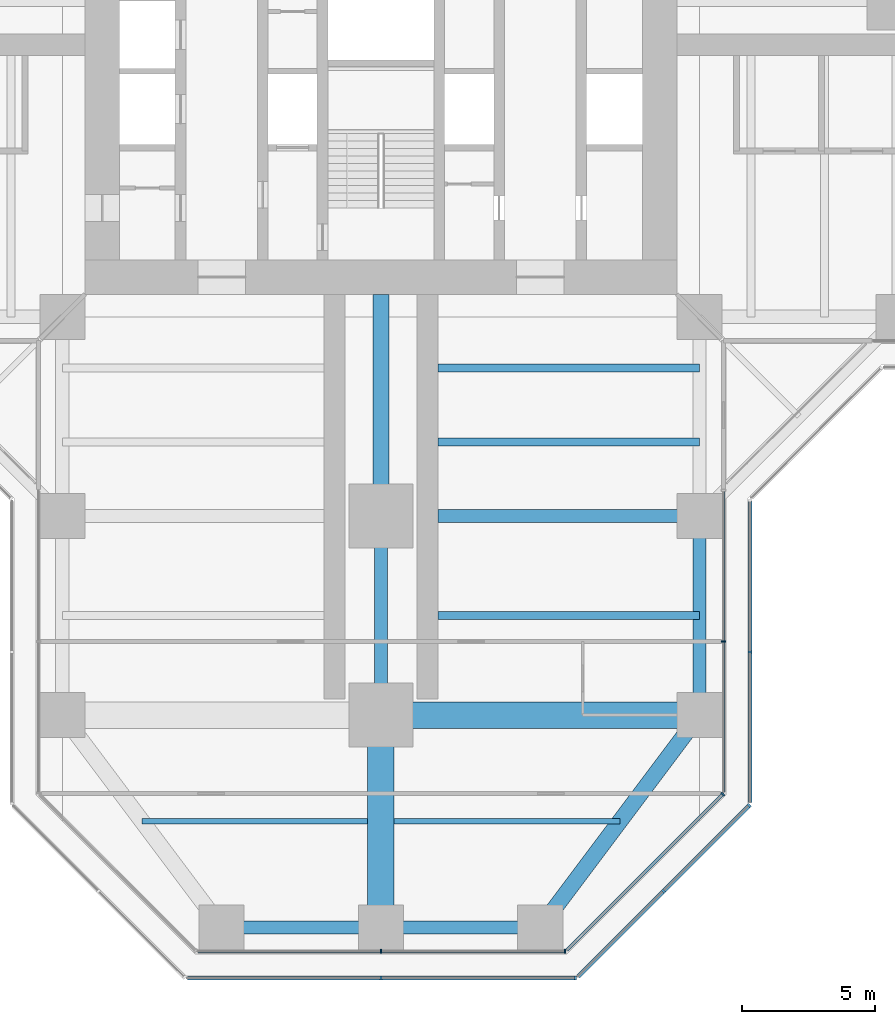
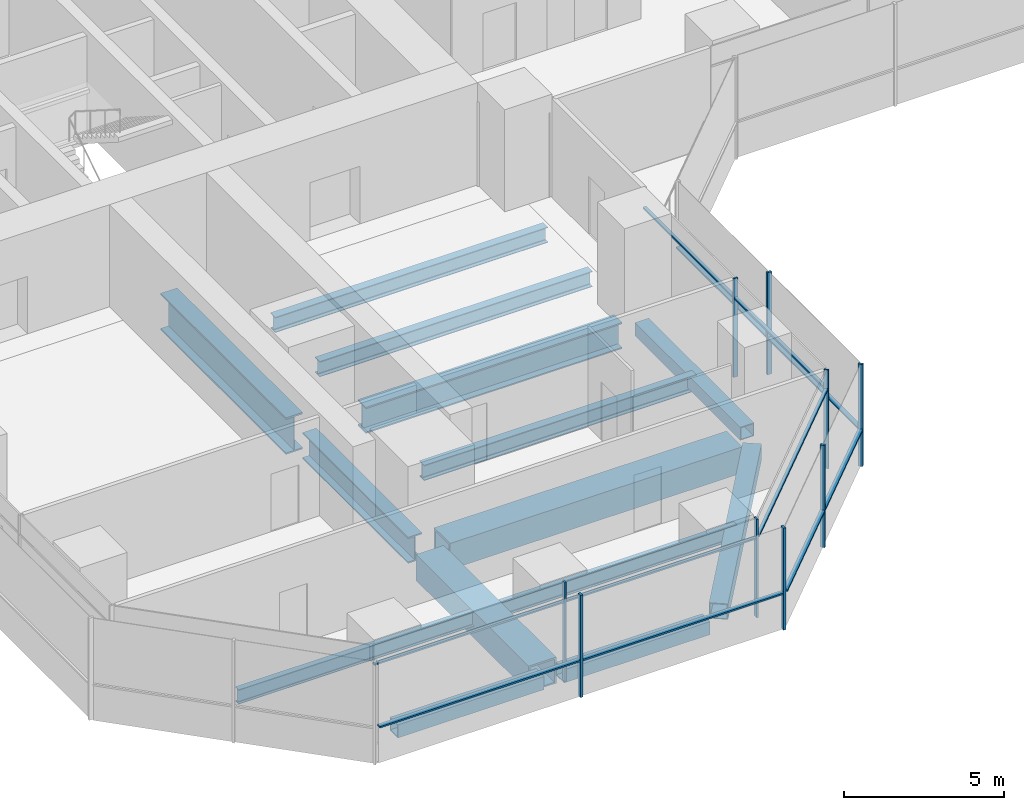
# One storey, part 5 of 22: 20 members, 14 beams, 6 elements without a shape of their own.
"""IFC4 building model written with IfcOpenShell, lengths in metres."""

from ifc_helpers import new_model, si_unit, direction, frame, origin, origin_2d, place, context, subcontext, project, spatial, rectangle, hollow_rectangle, i_section, extrude, material, material_profile, profile_set, type_object, element, aggregate, save


model = new_model("IFC4")

# Units and contexts
model_context = context("Model", 3, precision=1e-05, world=origin(), true_north=direction((0.0, 1.0)))
body_context = subcontext(model_context, "Body", "Model", "MODEL_VIEW")
ifc_project = project(units=[si_unit("LENGTHUNIT", "METRE"), si_unit("AREAUNIT", "SQUARE_METRE"), si_unit("VOLUMEUNIT", "CUBIC_METRE"), si_unit("PLANEANGLEUNIT", "RADIAN"), si_unit("MASSUNIT", "GRAM", prefix="KILO")], contexts=[model_context])

# Site, building, storey
site_placement = place(None, origin())
site = spatial("IfcSite", under=ifc_project, at=site_placement, CompositionType="ELEMENT")
building_placement = place(site_placement, origin())
building = spatial("IfcBuilding", under=site, at=building_placement, Name="Mizan Broadcast Tower", CompositionType="ELEMENT")
storey_placement = place(building_placement, frame((0.0, 0.0, 59.10009765625)))
storey = spatial("IfcBuildingStorey", under=building, at=storey_placement, Name="L11", CompositionType="ELEMENT", Elevation=59.10009765625)

# Beams
ifc_material_1 = material(Name="Steel S355", Category="steel")
ifc_material_profile_1 = material_profile(ifc_material_1, hollow_rectangle(XDim=0.5, YDim=0.5, WallThickness=0.030029296875, at=origin_2d()), Name="BOX 500x500x30")
ifc_profile_set_1 = profile_set([ifc_material_profile_1], Name="Steel S355")
beam_type_1 = type_object("IfcBeamType", Name="EDGE BEAM BOX 500x500x30", PredefinedType="SPANDREL", material=ifc_profile_set_1)
beam_1_placement = place(storey_placement, frame((-5.639892578125, -35.0, -0.380126953125), z_axis=(1.0, 0.0, 0.0), x_axis=(0.0, 1.0, 0.0)))
element("IfcBeam", 1, at=beam_1_placement, inside=storey, type_object=beam_type_1, Name="Edge beam BOX 500x500x30 L11 south arm", PredefinedType="SPANDREL", context=body_context, shape_type="SweptSolid", body=[
    extrude(hollow_rectangle(XDim=0.5, YDim=0.5, WallThickness=0.030029296875, at=origin_2d()), origin(), (0.0, 0.0, 1.0), 5.27978515625),
])
beam_2_placement = place(storey_placement, frame((12.0, -19.949951171875, -0.380126953125), z_axis=(0.0, -1.0, 0.0), x_axis=(1.0, 0.0, 0.0)))
element("IfcBeam", 2, at=beam_2_placement, inside=storey, type_object=beam_type_1, Name="Edge beam BOX 500x500x30 L11 south arm", PredefinedType="SPANDREL", context=body_context, shape_type="SweptSolid", body=[
    extrude(hollow_rectangle(XDim=0.5, YDim=0.5, WallThickness=0.030029296875, at=origin_2d()), origin(), (0.0, 0.0, 1.0), 6.60009765625),
])
beam_3_placement = place(storey_placement, frame((5.639892578125, -35.0, -0.380126953125), z_axis=(-1.0, 0.0, 0.0), x_axis=(0.0, -1.0, 0.0)))
element("IfcBeam", 3, at=beam_3_placement, inside=storey, type_object=beam_type_1, Name="Edge beam BOX 500x500x30 L11 south arm", PredefinedType="SPANDREL", context=body_context, shape_type="SweptSolid", body=[
    extrude(hollow_rectangle(XDim=0.5, YDim=0.5, WallThickness=0.030029296875, at=origin_2d()), origin(), (0.0, 0.0, 1.0), 5.27978515625),
])
ifc_material_2 = material(Name="Steel S355", Category="steel")
ifc_material_profile_2 = material_profile(ifc_material_2, hollow_rectangle(XDim=0.60009765625, YDim=0.60009765625, WallThickness=0.030029296875, at=origin_2d()), Name="BOX 600x600x30")
ifc_profile_set_2 = profile_set([ifc_material_profile_2], Name="Steel S355")
beam_type_2 = type_object("IfcBeamType", Name="EDGE BEAM BOX 600x600x30", PredefinedType="SPANDREL", material=ifc_profile_set_2)
beam_4_placement = place(storey_placement, frame((11.639892578125, -27.47998046875, -0.43017578125), z_axis=(-0.599982243973, -0.800013316712, 0.0), x_axis=(0.800013316712, -0.599982243973, 0.0)))
element("IfcBeam", 4, at=beam_4_placement, inside=storey, type_object=beam_type_2, Name="Edge beam BOX 600x600x30 L11 south arm", PredefinedType="SPANDREL", context=body_context, shape_type="SweptSolid", body=[
    extrude(hollow_rectangle(XDim=0.60009765625, YDim=0.60009765625, WallThickness=0.030029296875, at=origin_2d()), origin(), (0.0, 0.0, 1.0), 8.7998046875),
])
ifc_material_3 = material(Name="Steel S460", Category="steel")
ifc_material_profile_3 = material_profile(ifc_material_3, hollow_rectangle(XDim=1.0, YDim=1.0, WallThickness=0.06005859375, at=origin_2d()), Name="BOX 1000x1000x60")
ifc_profile_set_3 = profile_set([ifc_material_profile_3], Name="Steel S460")
beam_type_3 = type_object("IfcBeamType", Name="GIRDER BOX 1000x1000x60", PredefinedType="BEAM", material=ifc_profile_set_3)
beam_5_placement = place(storey_placement, frame((0.0, -27.47998046875, -0.630126953125), z_axis=(0.0, -1.0, 0.0), x_axis=(1.0, 0.0, 0.0)))
element("IfcBeam", 5, at=beam_5_placement, inside=storey, type_object=beam_type_3, Name="Girder BOX 1000x1000x60 L11 south arm", PredefinedType="BEAM", context=body_context, shape_type="SweptSolid", body=[
    extrude(hollow_rectangle(XDim=1.0, YDim=1.0, WallThickness=0.06005859375, at=origin_2d()), origin(), (0.0, 0.0, 1.0), 7.0400390625),
])
ifc_material_4 = material(Name="Steel S460", Category="steel")
ifc_material_profile_4 = material_profile(ifc_material_4, hollow_rectangle(XDim=1.0, YDim=1.0, WallThickness=0.080078125, at=origin_2d()), Name="BOX 1000x1000x80")
ifc_profile_set_4 = profile_set([ifc_material_profile_4], Name="Steel S460")
beam_type_4 = type_object("IfcBeamType", Name="GIRDER BOX 1000x1000x80", PredefinedType="BEAM", material=ifc_profile_set_4)
beam_6_placement = place(storey_placement, frame((11.280029296875, -27.0, -0.630126953125), z_axis=(-1.0, 0.0, 0.0), x_axis=(0.0, -1.0, 0.0)))
element("IfcBeam", 6, at=beam_6_placement, inside=storey, type_object=beam_type_4, Name="Girder BOX 1000x1000x80 L11 south arm", PredefinedType="BEAM", context=body_context, shape_type="SweptSolid", body=[
    extrude(hollow_rectangle(XDim=1.0, YDim=1.0, WallThickness=0.080078125, at=origin_2d()), origin(), (0.0, 0.0, 1.0), 10.56005859375),
])
ifc_material_5 = material(Name="Steel S460", Category="steel")
ifc_material_profile_5 = material_profile(ifc_material_5, i_section(OverallWidth=0.5, OverallDepth=1.0, WebThickness=0.02490234375, FlangeThickness=0.050048828125, at=origin_2d()), Name="WPG 1000x500")
ifc_profile_set_5 = profile_set([ifc_material_profile_5], Name="Steel S460")
beam_type_5 = type_object("IfcBeamType", Name="GIRDER WPG 1000x500", PredefinedType="BEAM", material=ifc_profile_set_5)
beam_7_placement = place(storey_placement, frame((0.0, -19.949951171875, -0.630126953125), z_axis=(0.0, -1.0, 0.0), x_axis=(1.0, 0.0, 0.0)))
element("IfcBeam", 7, at=beam_7_placement, inside=storey, type_object=beam_type_5, Name="Girder WPG 1000x500 L11 south arm", PredefinedType="BEAM", context=body_context, shape_type="SweptSolid", body=[
    extrude(i_section(OverallWidth=0.5, OverallDepth=1.0, WebThickness=0.02490234375, FlangeThickness=0.050048828125, at=origin_2d()), origin(), (0.0, 0.0, 1.0), 6.60009765625),
])
beam_8_placement = place(storey_placement, frame((11.408935546875, -19.5, -0.630126953125), z_axis=(-1.0, 0.0, 0.0), x_axis=(0.0, -1.0, 0.0)))
element("IfcBeam", 8, at=beam_8_placement, inside=storey, type_object=beam_type_5, Name="Girder WPG 1000x500 L11 south arm", PredefinedType="BEAM", context=body_context, shape_type="SweptSolid", body=[
    extrude(i_section(OverallWidth=0.5, OverallDepth=1.0, WebThickness=0.02490234375, FlangeThickness=0.050048828125, at=origin_2d()), origin(), (0.0, 0.0, 1.0), 9.259033203125),
])
ifc_material_6 = material(Name="Steel S460", Category="steel")
ifc_material_profile_6 = material_profile(ifc_material_6, i_section(OverallWidth=0.60009765625, OverallDepth=1.39990234375, WebThickness=0.02490234375, FlangeThickness=0.06005859375, at=origin_2d()), Name="WPG 1400x600")
ifc_profile_set_6 = profile_set([ifc_material_profile_6], Name="Steel S460")
beam_type_6 = type_object("IfcBeamType", Name="GIRDER WPG 1400x600", PredefinedType="BEAM", material=ifc_profile_set_6)
beam_9_placement = place(storey_placement, frame((0.0, -11.14990234375, -0.830078125), z_axis=(0.0, -1.0, 0.0), x_axis=(1.0, 0.0, 0.0)))
element("IfcBeam", 9, at=beam_9_placement, inside=storey, type_object=beam_type_6, Name="Girder WPG 1400x600 L11 south arm", PredefinedType="BEAM", context=body_context, shape_type="SweptSolid", body=[
    extrude(i_section(OverallWidth=0.60009765625, OverallDepth=1.39990234375, WebThickness=0.02490234375, FlangeThickness=0.06005859375, at=origin_2d()), origin(), (0.0, 0.0, 1.0), 7.84912109375),
])

# Curtain wall, members
ifc_material_7 = material(Name="Aluminium framed glazing", Category="aluminium")
curtain_wall_type_1 = type_object("IfcCurtainWallType", Name="INNER SKIN LOW ZONE", PredefinedType="USERDEFINED", material=ifc_material_7)
curtain_wall_1_placement = place(storey_placement, origin())
curtain_wall_1 = element("IfcCurtainWall", 10, at=curtain_wall_1_placement, inside=storey, type_object=curtain_wall_type_1, Name="Inner skin low zone L11 S end", ObjectType="INNER SKIN LOW ZONE", PredefinedType="USERDEFINED")
ifc_material_8 = material(Name="Aluminium, pale anodised", Category="aluminium")
ifc_material_profile_7 = material_profile(ifc_material_8, rectangle(XDim=0.159912109375, YDim=0.06005859375, at=origin_2d()), Name="MULLION 160x60")
ifc_profile_set_7 = profile_set([ifc_material_profile_7], Name="Aluminium, pale anodised")
member_type_1 = type_object("IfcMemberType", Name="INNER SKIN MULLION 60x160", PredefinedType="MULLION", material=ifc_profile_set_7)
member_1_placement = place(storey_placement, frame((0.0, -35.89990234375, 0.0), z_axis=(0.0, 0.0, 1.0), x_axis=(0.0, 1.0, 0.0)))
member_1 = element("IfcMember", 11, at=member_1_placement, type_object=member_type_1, Name="Inner skin low zone L11 S end mullion 2", PredefinedType="MULLION", context=body_context, shape_type="SweptSolid", body=[
    extrude(rectangle(XDim=0.159912109375, YDim=0.06005859375, at=origin_2d()), origin(), (0.0, 0.0, 1.0), 3.77001953125),
])
member_2_placement = place(storey_placement, frame((6.928466796875, -35.89990234375, 0.0), z_axis=(0.0, 0.0, 1.0), x_axis=(0.0, 1.0, 0.0)))
member_2 = element("IfcMember", 12, at=member_2_placement, type_object=member_type_1, Name="Inner skin low zone L11 S end mullion 3", PredefinedType="MULLION", context=body_context, shape_type="SweptSolid", body=[
    extrude(rectangle(XDim=0.159912109375, YDim=0.06005859375, at=origin_2d()), origin(), (0.0, 0.0, 1.0), 3.77001953125),
])

# Curtain wall, member
curtain_wall_2_placement = place(storey_placement, origin())
curtain_wall_2 = element("IfcCurtainWall", 13, at=curtain_wall_2_placement, inside=storey, type_object=curtain_wall_type_1, Name="Inner skin low zone L11 S chamfer", ObjectType="INNER SKIN LOW ZONE", PredefinedType="USERDEFINED")
member_3_placement = place(storey_placement, frame((12.87890625, -29.979736328125, 0.0), z_axis=(0.0, 0.0, 1.0), x_axis=(-0.707106781187, 0.707106781187, 0.0)))
member_3 = element("IfcMember", 14, at=member_3_placement, type_object=member_type_1, Name="Inner skin low zone L11 S chamfer mullion 2", PredefinedType="MULLION", context=body_context, shape_type="SweptSolid", body=[
    extrude(rectangle(XDim=0.159912109375, YDim=0.06005859375, at=origin_2d()), origin(), (0.0, 0.0, 1.0), 3.77001953125),
])

curtain_wall_3_placement = place(storey_placement, origin())
curtain_wall_3 = element("IfcCurtainWall", 15, at=curtain_wall_3_placement, inside=storey, type_object=curtain_wall_type_1, Name="Inner skin low zone L11 S side", ObjectType="INNER SKIN LOW ZONE", PredefinedType="USERDEFINED")
member_4_placement = place(storey_placement, frame((12.89990234375, -24.229248046875, 0.0), z_axis=(0.0, 0.0, 1.0), x_axis=(-1.0, 0.0, 0.0)))
member_4 = element("IfcMember", 16, at=member_4_placement, type_object=member_type_1, Name="Inner skin low zone L11 S side mullion 2", PredefinedType="MULLION", context=body_context, shape_type="SweptSolid", body=[
    extrude(rectangle(XDim=0.159912109375, YDim=0.06005859375, at=origin_2d()), origin(), (0.0, 0.0, 1.0), 3.77001953125),
])

# Member
ifc_material_9 = material(Name="Aluminium, pale anodised", Category="aluminium")
ifc_material_profile_8 = material_profile(ifc_material_9, rectangle(XDim=0.1201171875, YDim=0.06005859375, at=origin_2d()), Name="TRANSOM 120x60")
ifc_profile_set_8 = profile_set([ifc_material_profile_8], Name="Aluminium, pale anodised")
member_type_2 = type_object("IfcMemberType", Name="INNER SKIN TRANSOM 60x120", PredefinedType="USERDEFINED", material=ifc_profile_set_8)
member_5_placement = place(storey_placement, frame((-6.898681640625, -35.89990234375, 3.02978515625), z_axis=(1.0, 0.0, 0.0), x_axis=(0.0, 1.0, 0.0)))
member_5 = element("IfcMember", 17, at=member_5_placement, type_object=member_type_2, Name="Inner skin low zone L11 S end transom 1.1", ObjectType="TRANSOM", PredefinedType="USERDEFINED", context=body_context, shape_type="SweptSolid", body=[
    extrude(rectangle(XDim=0.1201171875, YDim=0.06005859375, at=origin_2d()), origin(), (0.0, 0.0, 1.0), 6.86865234375),
])

member_6_placement = place(storey_placement, frame((0.030029296875, -35.89990234375, 3.02978515625), z_axis=(1.0, 0.0, 0.0), x_axis=(0.0, 1.0, 0.0)))
member_6 = element("IfcMember", 18, at=member_6_placement, type_object=member_type_2, Name="Inner skin low zone L11 S end transom 2.1", ObjectType="TRANSOM", PredefinedType="USERDEFINED", context=body_context, shape_type="SweptSolid", body=[
    extrude(rectangle(XDim=0.1201171875, YDim=0.06005859375, at=origin_2d()), origin(), (0.0, 0.0, 1.0), 6.86865234375),
])

aggregate(curtain_wall_1, [member_1, member_2, member_5, member_6])

member_7_placement = place(storey_placement, frame((7.0009765625, -35.857666015625, 3.02978515625), z_axis=(0.707106781187, 0.707106781187, 0.0), x_axis=(-0.707106781187, 0.707106781187, 0.0)))
member_7 = element("IfcMember", 19, at=member_7_placement, type_object=member_type_2, Name="Inner skin low zone L11 S chamfer transom 1.1", ObjectType="TRANSOM", PredefinedType="USERDEFINED", context=body_context, shape_type="SweptSolid", body=[
    extrude(rectangle(XDim=0.1201171875, YDim=0.06005859375, at=origin_2d()), origin(), (0.0, 0.0, 1.0), 8.28271484375),
])

aggregate(curtain_wall_2, [member_3, member_7])

member_8_placement = place(storey_placement, frame((12.89990234375, -29.898681640625, 3.02978515625), z_axis=(0.0, 1.0, 0.0), x_axis=(-1.0, 0.0, 0.0)))
member_8 = element("IfcMember", 20, at=member_8_placement, type_object=member_type_2, Name="Inner skin low zone L11 S side transom 1.1", ObjectType="TRANSOM", PredefinedType="USERDEFINED", context=body_context, shape_type="SweptSolid", body=[
    extrude(rectangle(XDim=0.1201171875, YDim=0.06005859375, at=origin_2d()), origin(), (0.0, 0.0, 1.0), 5.639404296875),
])

member_9_placement = place(storey_placement, frame((12.89990234375, -24.19921875, 3.02978515625), z_axis=(0.0, 1.0, 0.0), x_axis=(-1.0, 0.0, 0.0)))
member_9 = element("IfcMember", 21, at=member_9_placement, type_object=member_type_2, Name="Inner skin low zone L11 S side transom 2.1", ObjectType="TRANSOM", PredefinedType="USERDEFINED", context=body_context, shape_type="SweptSolid", body=[
    extrude(rectangle(XDim=0.1201171875, YDim=0.06005859375, at=origin_2d()), origin(), (0.0, 0.0, 1.0), 5.63916015625),
])

aggregate(curtain_wall_3, [member_4, member_8, member_9])

# Curtain wall, members
ifc_material_10 = material(Name="Aluminium framed glazing", Category="aluminium")
curtain_wall_type_2 = type_object("IfcCurtainWallType", Name="OUTER SKIN", PredefinedType="USERDEFINED", material=ifc_material_10)
curtain_wall_4_placement = place(storey_placement, origin())
curtain_wall_4 = element("IfcCurtainWall", 22, at=curtain_wall_4_placement, inside=storey, type_object=curtain_wall_type_2, Name="Outer skin L11 S end", ObjectType="OUTER SKIN", PredefinedType="USERDEFINED")
ifc_material_11 = material(Name="Aluminium, pale anodised", Category="aluminium")
ifc_material_profile_9 = material_profile(ifc_material_11, rectangle(XDim=0.159912109375, YDim=0.080078125, at=origin_2d()), Name="MULLION 160x80")
ifc_profile_set_9 = profile_set([ifc_material_profile_9], Name="Aluminium, pale anodised")
member_type_3 = type_object("IfcMemberType", Name="OUTER SKIN MULLION 80x160", PredefinedType="MULLION", material=ifc_profile_set_9)
member_10_placement = place(storey_placement, frame((0.0, -36.89990234375, 0.0), z_axis=(0.0, 0.0, 1.0), x_axis=(0.0, 1.0, 0.0)))
member_10 = element("IfcMember", 23, at=member_10_placement, type_object=member_type_3, Name="Outer skin L11 S end mullion 2", PredefinedType="MULLION", context=body_context, shape_type="SweptSolid", body=[
    extrude(rectangle(XDim=0.159912109375, YDim=0.080078125, at=origin_2d()), origin(), (0.0, 0.0, 1.0), 3.89990234375),
])
member_11_placement = place(storey_placement, frame((7.332763671875, -36.89990234375, 0.0), z_axis=(0.0, 0.0, 1.0), x_axis=(0.0, 1.0, 0.0)))
member_11 = element("IfcMember", 24, at=member_11_placement, type_object=member_type_3, Name="Outer skin L11 S end mullion 3", PredefinedType="MULLION", context=body_context, shape_type="SweptSolid", body=[
    extrude(rectangle(XDim=0.159912109375, YDim=0.080078125, at=origin_2d()), origin(), (0.0, 0.0, 1.0), 3.89990234375),
])

curtain_wall_5_placement = place(storey_placement, origin())
curtain_wall_5 = element("IfcCurtainWall", 25, at=curtain_wall_5_placement, inside=storey, type_object=curtain_wall_type_2, Name="Outer skin L11 S chamfer", ObjectType="OUTER SKIN", PredefinedType="USERDEFINED")
member_12_placement = place(storey_placement, frame((10.636474609375, -33.636474609375, 0.0), z_axis=(0.0, 0.0, 1.0), x_axis=(-0.707106781187, 0.707106781187, 0.0)))
member_12 = element("IfcMember", 26, at=member_12_placement, type_object=member_type_3, Name="Outer skin L11 S chamfer mullion 2", PredefinedType="MULLION", context=body_context, shape_type="SweptSolid", body=[
    extrude(rectangle(XDim=0.159912109375, YDim=0.080078125, at=origin_2d()), origin(), (0.0, 0.0, 1.0), 3.89990234375),
])
member_13_placement = place(storey_placement, frame((13.871826171875, -30.401123046875, 0.0), z_axis=(0.0, 0.0, 1.0), x_axis=(-0.707106781187, 0.707106781187, 0.0)))
member_13 = element("IfcMember", 27, at=member_13_placement, type_object=member_type_3, Name="Outer skin L11 S chamfer mullion 3", PredefinedType="MULLION", context=body_context, shape_type="SweptSolid", body=[
    extrude(rectangle(XDim=0.159912109375, YDim=0.080078125, at=origin_2d()), origin(), (0.0, 0.0, 1.0), 3.89990234375),
])

# Curtain wall, member
curtain_wall_6_placement = place(storey_placement, origin())
curtain_wall_6 = element("IfcCurtainWall", 28, at=curtain_wall_6_placement, inside=storey, type_object=curtain_wall_type_2, Name="Outer skin L11 S side", ObjectType="OUTER SKIN", PredefinedType="USERDEFINED")
member_14_placement = place(storey_placement, frame((13.89990234375, -24.622802734375, 0.0), z_axis=(0.0, 0.0, 1.0), x_axis=(-1.0, 0.0, 0.0)))
member_14 = element("IfcMember", 29, at=member_14_placement, type_object=member_type_3, Name="Outer skin L11 S side mullion 2", PredefinedType="MULLION", context=body_context, shape_type="SweptSolid", body=[
    extrude(rectangle(XDim=0.159912109375, YDim=0.080078125, at=origin_2d()), origin(), (0.0, 0.0, 1.0), 3.89990234375),
])

# Member
ifc_material_12 = material(Name="Aluminium, pale anodised", Category="aluminium")
ifc_material_profile_10 = material_profile(ifc_material_12, rectangle(XDim=0.159912109375, YDim=0.06005859375, at=origin_2d()), Name="TRANSOM 160x60")
ifc_profile_set_10 = profile_set([ifc_material_profile_10], Name="Aluminium, pale anodised")
member_type_4 = type_object("IfcMemberType", Name="OUTER SKIN TRANSOM 60x160", PredefinedType="USERDEFINED", material=ifc_profile_set_10)
member_15_placement = place(storey_placement, frame((-7.292724609375, -36.89990234375, 1.39990234375), z_axis=(1.0, 0.0, 0.0), x_axis=(0.0, 1.0, 0.0)))
member_15 = element("IfcMember", 30, at=member_15_placement, type_object=member_type_4, Name="Outer skin L11 S end transom 1.1", ObjectType="TRANSOM", PredefinedType="USERDEFINED", context=body_context, shape_type="SweptSolid", body=[
    extrude(rectangle(XDim=0.159912109375, YDim=0.06005859375, at=origin_2d()), origin(), (0.0, 0.0, 1.0), 7.252685546875),
])

member_16_placement = place(storey_placement, frame((0.0400390625, -36.89990234375, 1.39990234375), z_axis=(1.0, 0.0, 0.0), x_axis=(0.0, 1.0, 0.0)))
member_16 = element("IfcMember", 31, at=member_16_placement, type_object=member_type_4, Name="Outer skin L11 S end transom 2.1", ObjectType="TRANSOM", PredefinedType="USERDEFINED", context=body_context, shape_type="SweptSolid", body=[
    extrude(rectangle(XDim=0.159912109375, YDim=0.06005859375, at=origin_2d()), origin(), (0.0, 0.0, 1.0), 7.252685546875),
])

aggregate(curtain_wall_4, [member_10, member_11, member_15, member_16])

member_17_placement = place(storey_placement, frame((7.429443359375, -36.843505859375, 1.39990234375), z_axis=(0.707106781187, 0.707106781187, 0.0), x_axis=(-0.707106781187, 0.707106781187, 0.0)))
member_17 = element("IfcMember", 32, at=member_17_placement, type_object=member_type_4, Name="Outer skin L11 S chamfer transom 1.1", ObjectType="TRANSOM", PredefinedType="USERDEFINED", context=body_context, shape_type="SweptSolid", body=[
    extrude(rectangle(XDim=0.159912109375, YDim=0.06005859375, at=origin_2d()), origin(), (0.0, 0.0, 1.0), 4.495361328125),
])

member_18_placement = place(storey_placement, frame((10.664794921875, -33.608154296875, 1.39990234375), z_axis=(0.707106781187, 0.707106781187, 0.0), x_axis=(-0.707106781187, 0.707106781187, 0.0)))
member_18 = element("IfcMember", 33, at=member_18_placement, type_object=member_type_4, Name="Outer skin L11 S chamfer transom 2.1", ObjectType="TRANSOM", PredefinedType="USERDEFINED", context=body_context, shape_type="SweptSolid", body=[
    extrude(rectangle(XDim=0.159912109375, YDim=0.06005859375, at=origin_2d()), origin(), (0.0, 0.0, 1.0), 4.495361328125),
])

aggregate(curtain_wall_5, [member_12, member_13, member_17, member_18])

member_19_placement = place(storey_placement, frame((13.89990234375, -30.292724609375, 1.39990234375), z_axis=(0.0, 1.0, 0.0), x_axis=(-1.0, 0.0, 0.0)))
member_19 = element("IfcMember", 34, at=member_19_placement, type_object=member_type_4, Name="Outer skin L11 S side transom 1.1", ObjectType="TRANSOM", PredefinedType="USERDEFINED", context=body_context, shape_type="SweptSolid", body=[
    extrude(rectangle(XDim=0.159912109375, YDim=0.06005859375, at=origin_2d()), origin(), (0.0, 0.0, 1.0), 5.6298828125),
])

member_20_placement = place(storey_placement, frame((13.89990234375, -24.582763671875, 1.39990234375), z_axis=(0.0, 1.0, 0.0), x_axis=(-1.0, 0.0, 0.0)))
member_20 = element("IfcMember", 35, at=member_20_placement, type_object=member_type_4, Name="Outer skin L11 S side transom 2.1", ObjectType="TRANSOM", PredefinedType="USERDEFINED", context=body_context, shape_type="SweptSolid", body=[
    extrude(rectangle(XDim=0.159912109375, YDim=0.06005859375, at=origin_2d()), origin(), (0.0, 0.0, 1.0), 5.6298828125),
])

aggregate(curtain_wall_6, [member_14, member_19, member_20])

# Beams
ifc_material_13 = material(Name="Steel S355", Category="steel")
ifc_material_profile_11 = material_profile(ifc_material_13, i_section(OverallWidth=0.300048828125, OverallDepth=0.590087890625, WebThickness=0.012939453125, FlangeThickness=0.02490234375, FilletRadius=0.027099609375, at=origin_2d()), Name="HEA 600")
ifc_profile_set_11 = profile_set([ifc_material_profile_11], Name="Steel S355")
beam_type_7 = type_object("IfcBeamType", Name="SECONDARY BEAM HEA 600", PredefinedType="JOIST", material=ifc_profile_set_11)
for number, where, z_axis, x_axis, name in (
    (36, (12.0, -13.933349609375, -0.425048828125), (-1.0, 0.0, 0.0), (0.0, -1.0, 0.0), "Secondary beam HEA 600 L11 south arm"),
    (37, (12.0, -16.716552734375, -0.425048828125), (-1.0, 0.0, 0.0), (0.0, -1.0, 0.0), "Secondary beam HEA 600 L11 south arm"),
    (38, (12.0, -23.25, -0.425048828125), (-1.0, 0.0, 0.0), (0.0, -1.0, 0.0), "Secondary beam HEA 600 L11 south arm"),
):
    element("IfcBeam", number, at=place(storey_placement, frame(where, z_axis=z_axis, x_axis=x_axis)), inside=storey, type_object=beam_type_7, Name=name, PredefinedType="JOIST", context=body_context, shape_type="SweptSolid", body=[
        extrude(i_section(OverallWidth=0.300048828125, OverallDepth=0.590087890625, WebThickness=0.012939453125, FlangeThickness=0.02490234375, FilletRadius=0.027099609375, at=origin_2d()), origin(), (0.0, 0.0, 1.0), 9.85009765625),
    ])
ifc_material_14 = material(Name="Steel S355", Category="steel")
ifc_material_profile_12 = material_profile(ifc_material_14, i_section(OverallWidth=0.2099609375, OverallDepth=0.550048828125, WebThickness=0.010986328125, FlangeThickness=0.01708984375, FilletRadius=0.02392578125, at=origin_2d()), Name="IPE 550")
ifc_profile_set_12 = profile_set([ifc_material_profile_12], Name="Steel S355")
beam_type_8 = type_object("IfcBeamType", Name="SECONDARY BEAM IPE 550", PredefinedType="JOIST", material=ifc_profile_set_12)
for number, where, z_axis, x_axis, name in (
    (39, (-9.0, -31.0, -0.405029296875), (1.0, 0.0, 0.0), (0.0, 1.0, 0.0), "Secondary beam IPE 550 L11 south arm"),
    (40, (9.0, -31.0, -0.405029296875), (-1.0, 0.0, 0.0), (0.0, -1.0, 0.0), "Secondary beam IPE 550 L11 south arm"),
):
    element("IfcBeam", number, at=place(storey_placement, frame(where, z_axis=z_axis, x_axis=x_axis)), inside=storey, type_object=beam_type_8, Name=name, PredefinedType="JOIST", context=body_context, shape_type="SweptSolid", body=[
        extrude(i_section(OverallWidth=0.2099609375, OverallDepth=0.550048828125, WebThickness=0.010986328125, FlangeThickness=0.01708984375, FilletRadius=0.02392578125, at=origin_2d()), origin(), (0.0, 0.0, 1.0), 8.5),
    ])

save(model, "model.ifc")
